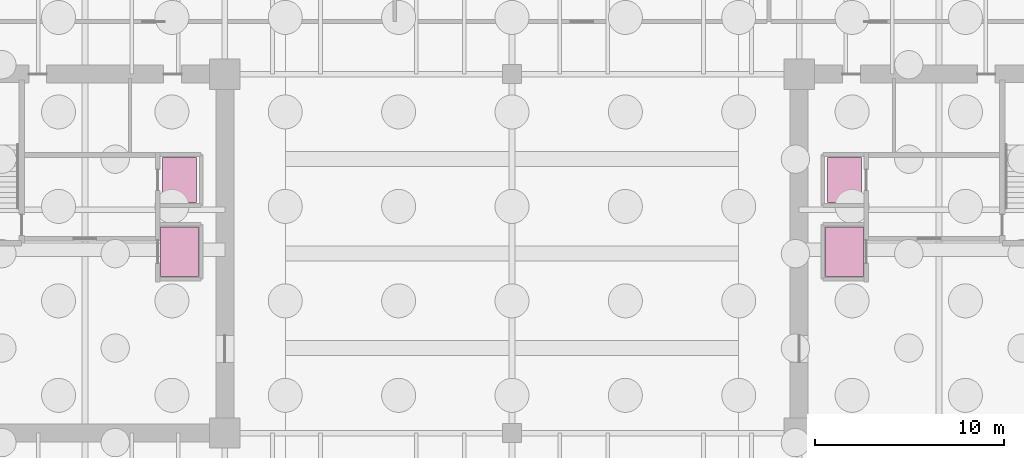
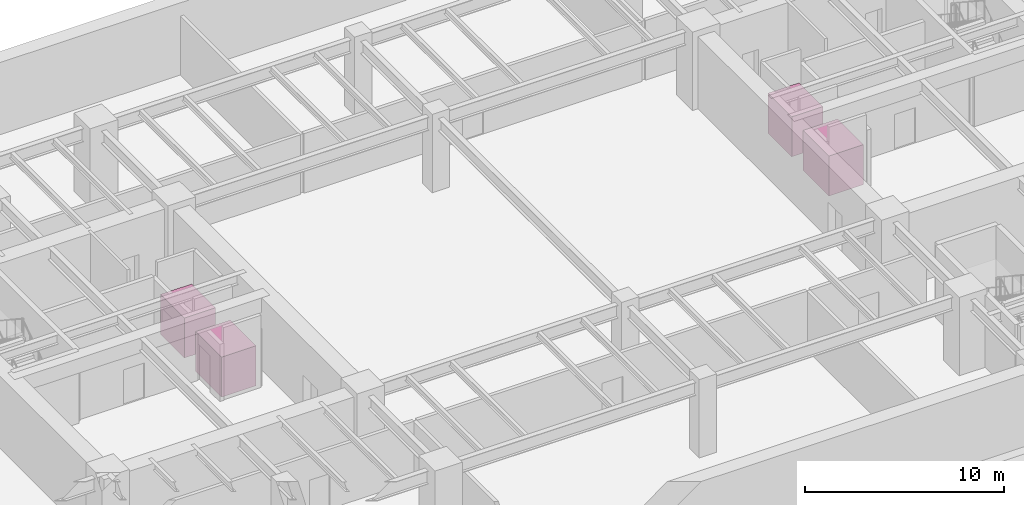
# One storey, part 8 of 8: 4 transport elements.
"""IFC4 building model written with IfcOpenShell, lengths in metres."""

from ifc_helpers import new_model, si_unit, direction, frame, origin, origin_2d, place, context, subcontext, project, spatial, rectangle, extrude, source, transform, mapped, material, type_object, type_shapes, element, save


model = new_model("IFC4")

# Units and contexts
model_context = context("Model", 3, precision=1e-05, world=origin(), true_north=direction((0.0, 1.0)))
body_context = subcontext(model_context, "Body", "Model", "MODEL_VIEW")
ifc_project = project(units=[si_unit("LENGTHUNIT", "METRE"), si_unit("AREAUNIT", "SQUARE_METRE"), si_unit("VOLUMEUNIT", "CUBIC_METRE"), si_unit("PLANEANGLEUNIT", "RADIAN"), si_unit("MASSUNIT", "GRAM", prefix="KILO")], contexts=[model_context])

# Site, building, storey
site_placement = place(None, origin())
site = spatial("IfcSite", under=ifc_project, at=site_placement, CompositionType="ELEMENT")
building_placement = place(site_placement, origin())
building = spatial("IfcBuilding", under=site, at=building_placement, Name="Haelvirn Gate Laboratories", CompositionType="ELEMENT")
storey_placement = place(building_placement, frame((0.0, 0.0, -14.39990234375)))
storey = spatial("IfcBuildingStorey", under=building, at=storey_placement, Name="B3", CompositionType="ELEMENT", Elevation=-14.39990234375)

# Transport elements
ifc_material_1 = material(Name="Pressurized emergency firefighting & stretcher lift car")
transport_element_type_1 = type_object("IfcTransportElementType", Name="LIFT-FF-1800", PredefinedType="ELEVATOR", material=ifc_material_1)
shared_shape_1 = source(origin(), body_context, "Body", "SweptSolid", [
    extrude(rectangle(XDim=1.800048828125, YDim=2.39990234375, at=origin_2d()), origin(), (0.0, 0.0, 1.0), 2.449951171875),
])
type_shapes(transport_element_type_1, [shared_shape_1])
for number, where, z_axis, x_axis, name in (
    (1, (19.800048828125, 28.199951171875, 0.0), (0.0, 0.0, 1.0), (1.0, 0.0, 0.0), "Elevator Car FL1"),
    (2, (55.0, 28.199951171875, 0.0), (0.0, 0.0, 1.0), (1.0, 0.0, 0.0), "Elevator Car FL2"),
):
    element("IfcTransportElement", number, at=place(storey_placement, frame(where, z_axis=z_axis, x_axis=x_axis)), inside=storey, type_object=transport_element_type_1, Name=name, PredefinedType="ELEVATOR", context=body_context, shape_type="MappedRepresentation", body=[
        mapped(shared_shape_1, transform((0.0, 0.0, 0.0), scale=1.0)),
    ])
ifc_material_2 = material(Name="Clean-reagent heavy goods laboratory lift car")
transport_element_type_2 = type_object("IfcTransportElementType", Name="LIFT-SVC-2000", PredefinedType="ELEVATOR", material=ifc_material_2)
shared_shape_2 = source(origin(), body_context, "Body", "SweptSolid", [
    extrude(rectangle(XDim=2.0, YDim=2.60009765625, at=origin_2d()), origin(), (0.0, 0.0, 1.0), 2.449951171875),
])
type_shapes(transport_element_type_2, [shared_shape_2])
for number, where, z_axis, x_axis, name in (
    (3, (19.800048828125, 24.39990234375, 0.0), (0.0, 0.0, 1.0), (1.0, 0.0, 0.0), "Elevator Car SL1"),
    (4, (55.0, 24.39990234375, 0.0), (0.0, 0.0, 1.0), (1.0, 0.0, 0.0), "Elevator Car SL2"),
):
    element("IfcTransportElement", number, at=place(storey_placement, frame(where, z_axis=z_axis, x_axis=x_axis)), inside=storey, type_object=transport_element_type_2, Name=name, PredefinedType="ELEVATOR", context=body_context, shape_type="MappedRepresentation", body=[
        mapped(shared_shape_2, transform((0.0, 0.0, 0.0), scale=1.0)),
    ])

save(model, "model.ifc")
